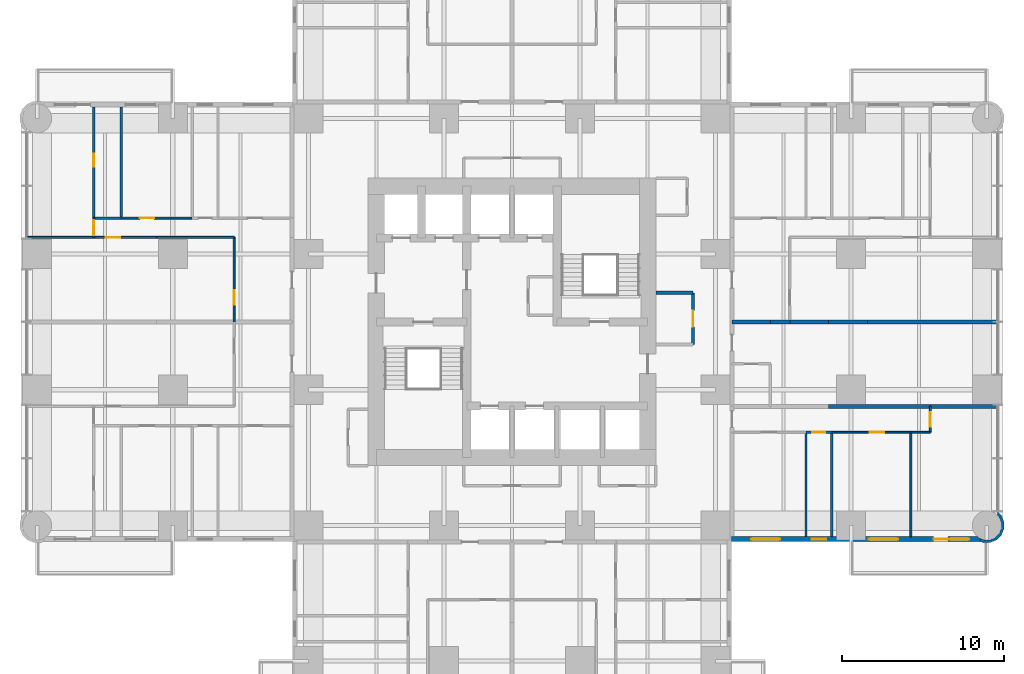
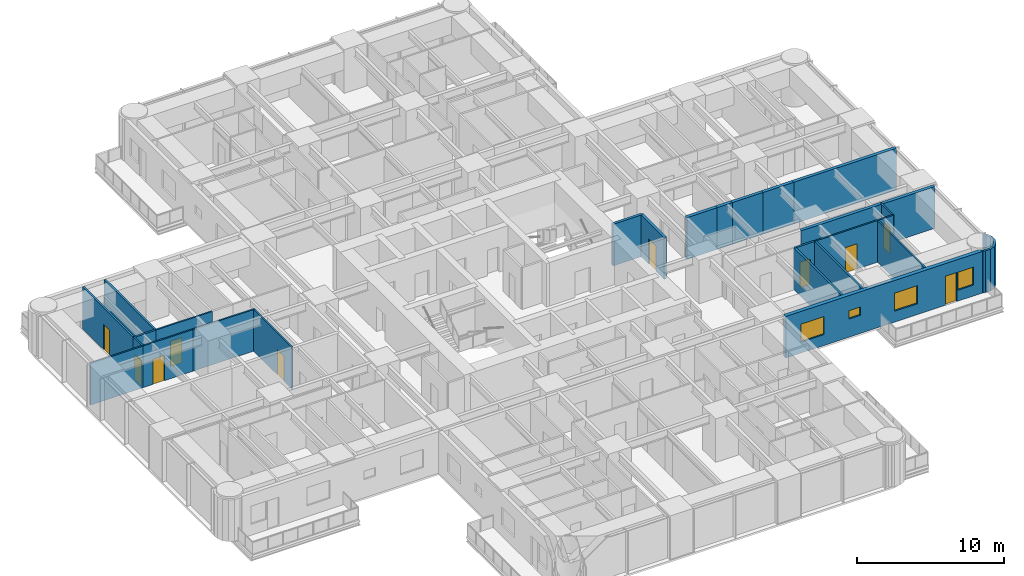
# One storey, part 11 of 17: 27 walls, 10 doors, 4 windows, 14 openings.
"""IFC4 building model written with IfcOpenShell, lengths in metres."""

from ifc_helpers import new_model, si_unit, direction, frame, frame_2d, origin, place, context, subcontext, project, spatial, polyline, rectangle, outline, extrude, material, layer, layer_set, type_object, element, fill, save


model = new_model("IFC4")

# Units and contexts
model_context = context("Model", 3, precision=1e-05, world=origin(), true_north=direction((0.0, 1.0)))
body_context = subcontext(model_context, "Body", "Model", "MODEL_VIEW")
ifc_project = project(units=[si_unit("LENGTHUNIT", "METRE"), si_unit("AREAUNIT", "SQUARE_METRE"), si_unit("VOLUMEUNIT", "CUBIC_METRE"), si_unit("PLANEANGLEUNIT", "RADIAN"), si_unit("MASSUNIT", "GRAM", prefix="KILO")], contexts=[model_context])

# Site, building, storey
site_placement = place(None, origin())
site = spatial("IfcSite", under=ifc_project, at=site_placement, CompositionType="ELEMENT")
building_placement = place(site_placement, origin())
building = spatial("IfcBuilding", under=site, at=building_placement, Name="Torre Alcanfor", CompositionType="ELEMENT")
storey_placement = place(building_placement, frame((0.0, 0.0, 52.5)))
storey = spatial("IfcBuildingStorey", under=building, at=storey_placement, Name="L12", CompositionType="ELEMENT", Elevation=52.5)

# Wall, opening, door
ifc_material_1 = material(Name="Gypsum board on steel studs", Category="steel")
ifc_layer_1 = layer(ifc_material_1, 0.1201171875)
ifc_layer_set_1 = layer_set([ifc_layer_1], Name="Apartment partition 120")
wall_type_1 = type_object("IfcWallType", Name="Apartment partition 120", PredefinedType="PARTITIONING", material=ifc_layer_set_1)
wall_1_placement = place(storey_placement, frame((54.10009765625, 22.571044921875, 0.0), z_axis=(0.0, 0.0, 1.0), x_axis=(-1.0, 0.0, 0.0)))
wall_1 = element("IfcWall", 1, at=wall_1_placement, inside=storey, type_object=wall_type_1, Name="Partition L12-E2B-HALL / L12-E2B-MASTER", PredefinedType="PARTITIONING", context=body_context, shape_type="SweptSolid", body=[
    extrude(rectangle(XDim=4.900146484375, YDim=0.1201171875, at=frame_2d((2.4501953125, 0.0))), origin(), (0.0, 0.0, 1.0), 3.449951171875),
])
opening_1_placement = place(wall_1_placement, frame((1.64990234375, 0.0, 0.0)))
opening_1 = element("IfcOpeningElement", 2, at=opening_1_placement, cuts=wall_1, Name="Opening D-R1", PredefinedType="OPENING", context=body_context, shape_type="SweptSolid", body=[
    extrude(rectangle(XDim=0.89990234375, YDim=2.10009765625, at=frame_2d((0.449951171875, 1.050048828125))), frame((0.0, 0.070068359375, 0.0), z_axis=(0.0, -1.0, 0.0), x_axis=(1.0, 0.0, 0.0)), (0.0, 0.0, 1.0), 0.14013671875),
])
ifc_material_2 = material(Name="Timber", Category="wood")
door_type_1 = type_object("IfcDoorType", Name="Internal door 900x2100", OperationType="SINGLE_SWING_LEFT", PredefinedType="DOOR", material=ifc_material_2)
door_1_placement = place(opening_1_placement, origin())
door_1 = element("IfcDoor", 3, at=door_1_placement, inside=storey, type_object=door_type_1, Name="Door L12-E2B master", OperationType="SINGLE_SWING_LEFT", OverallHeight=2.10009765625, OverallWidth=0.89990234375, PredefinedType="DOOR", context=body_context, shape_type="SweptSolid", body=[
    extrude(rectangle(XDim=0.89990234375, YDim=2.10009765625, at=frame_2d((0.449951171875, 1.050048828125))), frame((0.0, 0.02490234375, 0.0), z_axis=(0.0, -1.0, 0.0), x_axis=(1.0, 0.0, 0.0)), (0.0, 0.0, 1.0), 0.050048828125),
])
fill(opening_1, door_1)

# Wall
wall_2_placement = place(storey_placement, frame((55.300048828125, 22.571044921875, 0.0), z_axis=(0.0, 0.0, 1.0), x_axis=(-1.0, 0.0, 0.0)))
element("IfcWall", 4, at=wall_2_placement, inside=storey, type_object=wall_type_1, Name="Partition L12-E2B-HALL / L12-E2B-KITCHEN", PredefinedType="PARTITIONING", context=body_context, shape_type="SweptSolid", body=[
    extrude(rectangle(XDim=1.199951171875, YDim=0.1201171875, at=frame_2d((0.60009765625, 0.0))), origin(), (0.0, 0.0, 1.0), 3.449951171875),
])

# Wall, opening, door
wall_3_placement = place(storey_placement, frame((55.300048828125, 24.1708984375, 0.0), z_axis=(0.0, 0.0, 1.0), x_axis=(0.0, -1.0, 0.0)))
wall_3 = element("IfcWall", 5, at=wall_3_placement, inside=storey, type_object=wall_type_1, Name="Partition L12-E2B-HALL / L12-E2B-LIVING", PredefinedType="PARTITIONING", context=body_context, shape_type="SweptSolid", body=[
    extrude(rectangle(XDim=1.599853515625, YDim=0.1201171875, at=frame_2d((0.7998046875, 0.0))), origin(), (0.0, 0.0, 1.0), 3.449951171875),
])
opening_2_placement = place(wall_3_placement, frame((0.35009765625, 0.0, 0.0)))
opening_2 = element("IfcOpeningElement", 6, at=opening_2_placement, cuts=wall_3, Name="Opening D-R1", PredefinedType="OPENING", context=body_context, shape_type="SweptSolid", body=[
    extrude(rectangle(XDim=0.89990234375, YDim=2.10009765625, at=frame_2d((0.449951171875, 1.050048828125))), frame((0.0, 0.070068359375, 0.0), z_axis=(0.0, -1.0, 0.0), x_axis=(1.0, 0.0, 0.0)), (0.0, 0.0, 1.0), 0.14013671875),
])
door_2_placement = place(opening_2_placement, origin())
door_2 = element("IfcDoor", 7, at=door_2_placement, inside=storey, type_object=door_type_1, Name="Door L12-E2B living", OperationType="SINGLE_SWING_LEFT", OverallHeight=2.10009765625, OverallWidth=0.89990234375, PredefinedType="DOOR", context=body_context, shape_type="SweptSolid", body=[
    extrude(rectangle(XDim=0.89990234375, YDim=2.10009765625, at=frame_2d((0.449951171875, 1.050048828125))), frame((0.0, 0.02490234375, 0.0), z_axis=(0.0, -1.0, 0.0), x_axis=(1.0, 0.0, 0.0)), (0.0, 0.0, 1.0), 0.050048828125),
])
fill(opening_2, door_2)

# Wall
wall_4_placement = place(storey_placement, frame((54.10009765625, 22.571044921875, 0.0), z_axis=(0.0, 0.0, 1.0), x_axis=(0.0, -1.0, 0.0)))
element("IfcWall", 8, at=wall_4_placement, inside=storey, type_object=wall_type_1, Name="Partition L12-E2B-MASTER / L12-E2B-KITCHEN", PredefinedType="PARTITIONING", context=body_context, shape_type="SweptSolid", body=[
    extrude(rectangle(XDim=6.470947265625, YDim=0.1201171875, at=frame_2d((3.2353515625, 0.0))), origin(), (0.0, 0.0, 1.0), 3.449951171875),
])

# Wall, opening, door
wall_5_placement = place(storey_placement, frame((12.199951171875, 29.39990234375, 0.0), z_axis=(0.0, 0.0, 1.0), x_axis=(0.0, 1.0, 0.0)))
wall_5 = element("IfcWall", 9, at=wall_5_placement, inside=storey, type_object=wall_type_1, Name="Partition L12-W2-ZAG / L12-W2-KITCHEN", PredefinedType="PARTITIONING", context=body_context, shape_type="SweptSolid", body=[
    extrude(rectangle(XDim=5.22900390625, YDim=0.1201171875, at=frame_2d((2.614501953125, 0.0))), origin(), (0.0, 0.0, 1.0), 3.449951171875),
])
opening_3_placement = place(wall_5_placement, frame((1.050048828125, 0.0, 0.0)))
opening_3 = element("IfcOpeningElement", 10, at=opening_3_placement, cuts=wall_5, Name="Opening D-R1", PredefinedType="OPENING", context=body_context, shape_type="SweptSolid", body=[
    extrude(rectangle(XDim=0.89990234375, YDim=2.10009765625, at=frame_2d((0.449951171875, 1.050048828125))), frame((0.0, 0.070068359375, 0.0), z_axis=(0.0, -1.0, 0.0), x_axis=(1.0, 0.0, 0.0)), (0.0, 0.0, 1.0), 0.14013671875),
])
door_3_placement = place(opening_3_placement, origin())
door_3 = element("IfcDoor", 11, at=door_3_placement, inside=storey, type_object=door_type_1, Name="Door L12-W2 kitchen", OperationType="SINGLE_SWING_LEFT", OverallHeight=2.10009765625, OverallWidth=0.89990234375, PredefinedType="DOOR", context=body_context, shape_type="SweptSolid", body=[
    extrude(rectangle(XDim=0.89990234375, YDim=2.10009765625, at=frame_2d((0.449951171875, 1.050048828125))), frame((0.0, 0.02490234375, 0.0), z_axis=(0.0, -1.0, 0.0), x_axis=(1.0, 0.0, 0.0)), (0.0, 0.0, 1.0), 0.050048828125),
])
fill(opening_3, door_3)

# Wall
wall_6_placement = place(storey_placement, frame((7.39990234375, 34.62890625, 0.0), z_axis=(0.0, 0.0, 1.0), x_axis=(1.0, 0.0, 0.0)))
element("IfcWall", 12, at=wall_6_placement, inside=storey, type_object=wall_type_1, Name="Partition L12-W2-KITCHEN / L12-W2-HALL", PredefinedType="PARTITIONING", context=body_context, shape_type="SweptSolid", body=[
    extrude(rectangle(XDim=4.800048828125, YDim=0.1201171875, at=frame_2d((2.39990234375, 0.0))), origin(), (0.0, 0.0, 1.0), 3.449951171875),
])

# Wall, opening, door
wall_7_placement = place(storey_placement, frame((3.5, 34.62890625, 0.0), z_axis=(0.0, 0.0, 1.0), x_axis=(1.0, 0.0, 0.0)))
wall_7 = element("IfcWall", 13, at=wall_7_placement, inside=storey, type_object=wall_type_1, Name="Partition L12-W2-LIVING / L12-W2-HALL", PredefinedType="PARTITIONING", context=body_context, shape_type="SweptSolid", body=[
    extrude(rectangle(XDim=3.89990234375, YDim=0.1201171875, at=frame_2d((1.949951171875, 0.0))), origin(), (0.0, 0.0, 1.0), 3.449951171875),
])
opening_4_placement = place(wall_7_placement, frame((0.75, 0.0, 0.0)))
opening_4 = element("IfcOpeningElement", 14, at=opening_4_placement, cuts=wall_7, Name="Opening D-R1", PredefinedType="OPENING", context=body_context, shape_type="SweptSolid", body=[
    extrude(rectangle(XDim=0.89990234375, YDim=2.10009765625, at=frame_2d((0.449951171875, 1.050048828125))), frame((0.0, 0.070068359375, 0.0), z_axis=(0.0, -1.0, 0.0), x_axis=(1.0, 0.0, 0.0)), (0.0, 0.0, 1.0), 0.14013671875),
])
door_4_placement = place(opening_4_placement, frame((0.89990234375, 0.0, 0.0), z_axis=(0.0, 0.0, 1.0), x_axis=(-1.0, 0.0, 0.0)))
door_4 = element("IfcDoor", 15, at=door_4_placement, inside=storey, type_object=door_type_1, Name="Door L12-W2 living", OperationType="SINGLE_SWING_LEFT", OverallHeight=2.10009765625, OverallWidth=0.89990234375, PredefinedType="DOOR", context=body_context, shape_type="SweptSolid", body=[
    extrude(rectangle(XDim=0.89990234375, YDim=2.10009765625, at=frame_2d((0.449951171875, 1.050048828125))), frame((0.0, 0.025146484375, 0.0), z_axis=(0.0, -1.0, 0.0), x_axis=(1.0, 0.0, 0.0)), (0.0, 0.0, 1.0), 0.050048828125),
])
fill(opening_4, door_4)

# Wall
wall_8_placement = place(storey_placement, frame((-0.64990234375, 34.62890625, 0.0), z_axis=(0.0, 0.0, 1.0), x_axis=(1.0, 0.0, 0.0)))
element("IfcWall", 16, at=wall_8_placement, inside=storey, type_object=wall_type_1, Name="Partition L12-W2-LIVING / L12-W2-MASTER", PredefinedType="PARTITIONING", context=body_context, shape_type="SweptSolid", body=[
    extrude(rectangle(XDim=4.14990234375, YDim=0.1201171875, at=frame_2d((2.074951171875, 0.0))), origin(), (0.0, 0.0, 1.0), 3.449951171875),
])

# Wall, opening, door
wall_9_placement = place(storey_placement, frame((5.199951171875, 35.8291015625, 0.0), z_axis=(0.0, 0.0, 1.0), x_axis=(1.0, 0.0, 0.0)))
wall_9 = element("IfcWall", 17, at=wall_9_placement, inside=storey, type_object=wall_type_1, Name="Partition L12-W2-HALL / L12-W2-BED2", PredefinedType="PARTITIONING", context=body_context, shape_type="SweptSolid", body=[
    extrude(rectangle(XDim=4.400146484375, YDim=0.1201171875, at=frame_2d((2.2001953125, 0.0))), origin(), (0.0, 0.0, 1.0), 3.449951171875),
])
opening_5_placement = place(wall_9_placement, frame((1.14990234375, 0.0, 0.0)))
opening_5 = element("IfcOpeningElement", 18, at=opening_5_placement, cuts=wall_9, Name="Opening D-R1", PredefinedType="OPENING", context=body_context, shape_type="SweptSolid", body=[
    extrude(rectangle(XDim=0.89990234375, YDim=2.10009765625, at=frame_2d((0.449951171875, 1.050048828125))), frame((0.0, 0.070068359375, 0.0), z_axis=(0.0, -1.0, 0.0), x_axis=(1.0, 0.0, 0.0)), (0.0, 0.0, 1.0), 0.14013671875),
])
door_5_placement = place(opening_5_placement, origin())
door_5 = element("IfcDoor", 19, at=door_5_placement, inside=storey, type_object=door_type_1, Name="Door L12-W2 bed2", OperationType="SINGLE_SWING_LEFT", OverallHeight=2.10009765625, OverallWidth=0.89990234375, PredefinedType="DOOR", context=body_context, shape_type="SweptSolid", body=[
    extrude(rectangle(XDim=0.89990234375, YDim=2.10009765625, at=frame_2d((0.449951171875, 1.050048828125))), frame((0.0, 0.02490234375, 0.0), z_axis=(0.0, -1.0, 0.0), x_axis=(1.0, 0.0, 0.0)), (0.0, 0.0, 1.0), 0.050048828125),
])
fill(opening_5, door_5)

wall_10_placement = place(storey_placement, frame((3.5, 34.62890625, 0.0), z_axis=(0.0, 0.0, 1.0), x_axis=(0.0, 1.0, 0.0)))
wall_10 = element("IfcWall", 20, at=wall_10_placement, inside=storey, type_object=wall_type_1, Name="Partition L12-W2-HALL / L12-W2-MASTER", PredefinedType="PARTITIONING", context=body_context, shape_type="SweptSolid", body=[
    extrude(rectangle(XDim=1.2001953125, YDim=0.1201171875, at=frame_2d((0.60009765625, 0.0))), origin(), (0.0, 0.0, 1.0), 3.449951171875),
])
opening_6_placement = place(wall_10_placement, frame((0.15087890625, 0.0, 0.0)))
opening_6 = element("IfcOpeningElement", 21, at=opening_6_placement, cuts=wall_10, Name="Opening D-R1", PredefinedType="OPENING", context=body_context, shape_type="SweptSolid", body=[
    extrude(rectangle(XDim=0.89990234375, YDim=2.10009765625, at=frame_2d((0.449951171875, 1.050048828125))), frame((0.0, 0.070068359375, 0.0), z_axis=(0.0, -1.0, 0.0), x_axis=(1.0, 0.0, 0.0)), (0.0, 0.0, 1.0), 0.14013671875),
])
door_6_placement = place(opening_6_placement, origin())
door_6 = element("IfcDoor", 22, at=door_6_placement, inside=storey, type_object=door_type_1, Name="Door L12-W2 master", OperationType="SINGLE_SWING_LEFT", OverallHeight=2.10009765625, OverallWidth=0.89990234375, PredefinedType="DOOR", context=body_context, shape_type="SweptSolid", body=[
    extrude(rectangle(XDim=0.89990234375, YDim=2.10009765625, at=frame_2d((0.449951171875, 1.050048828125))), frame((0.0, 0.02490234375, 0.0), z_axis=(0.0, -1.0, 0.0), x_axis=(1.0, 0.0, 0.0)), (0.0, 0.0, 1.0), 0.050048828125),
])
fill(opening_6, door_6)

# Wall, openings, door, windows
ifc_material_3 = material(Name="Limestone cladding", Category="masonry")
ifc_layer_2 = layer(ifc_material_3, 0.0400390625, Name="Facing")
ifc_material_4 = material(Name="Ventilated air cavity")
ifc_layer_3 = layer(ifc_material_4, 0.02001953125, ventilated=True, Name="Ventilated joint")
ifc_material_5 = material(Name="Mineral wool insulation", Category="insulation")
ifc_layer_4 = layer(ifc_material_5, 0.10009765625, Name="Insulation")
ifc_material_6 = material(Name="Concrete f'c 35 MPa", Category="concrete")
ifc_layer_5 = layer(ifc_material_6, 0.139892578125, Name="Backing")
ifc_layer_set_2 = layer_set([ifc_layer_2, ifc_layer_3, ifc_layer_4, ifc_layer_5], Name="External wall stone-clad 300")
wall_type_2 = type_object("IfcWallType", Name="External wall stone-clad 300", PredefinedType="SOLIDWALL", material=ifc_layer_set_2)
wall_11_placement = place(storey_placement, frame((43.0, 15.949951171875, 0.0), z_axis=(0.0, 0.0, 1.0), x_axis=(1.0, 0.0, 0.0)))
wall_11 = element("IfcWall", 23, at=wall_11_placement, inside=storey, type_object=wall_type_2, Name="External wall L12 7", PredefinedType="SOLIDWALL", context=body_context, shape_type="SweptSolid", body=[
    extrude(rectangle(XDim=15.39990234375, YDim=0.300048828125, at=frame_2d((7.699951171875, 0.0))), origin(), (0.0, 0.0, 1.0), 3.449951171875),
])
opening_7_placement = place(wall_11_placement, frame((1.199951171875, 0.0, 0.89990234375)))
opening_7 = element("IfcOpeningElement", 24, at=opening_7_placement, cuts=wall_11, Name="Opening W2", PredefinedType="OPENING", context=body_context, shape_type="SweptSolid", body=[
    extrude(rectangle(XDim=1.800048828125, YDim=1.5, at=frame_2d((0.89990234375, 0.75))), frame((0.0, 0.159912109375, 0.0), z_axis=(0.0, -1.0, 0.0), x_axis=(1.0, 0.0, 0.0)), (0.0, 0.0, 1.0), 0.320068359375),
])
opening_8_placement = place(wall_11_placement, frame((4.949951171875, 0.0, 1.5)))
opening_8 = element("IfcOpeningElement", 25, at=opening_8_placement, cuts=wall_11, Name="Opening W3", PredefinedType="OPENING", context=body_context, shape_type="SweptSolid", body=[
    extrude(rectangle(XDim=0.89990234375, YDim=0.699951171875, at=frame_2d((0.449951171875, 0.35009765625))), frame((0.0, 0.159912109375, 0.0), z_axis=(0.0, -1.0, 0.0), x_axis=(1.0, 0.0, 0.0)), (0.0, 0.0, 1.0), 0.320068359375),
])
opening_9_placement = place(wall_11_placement, frame((8.5, 0.0, 0.89990234375)))
opening_9 = element("IfcOpeningElement", 26, at=opening_9_placement, cuts=wall_11, Name="Opening W2", PredefinedType="OPENING", context=body_context, shape_type="SweptSolid", body=[
    extrude(rectangle(XDim=1.800048828125, YDim=1.5, at=frame_2d((0.89990234375, 0.75))), frame((0.0, 0.159912109375, 0.0), z_axis=(0.0, -1.0, 0.0), x_axis=(1.0, 0.0, 0.0)), (0.0, 0.0, 1.0), 0.320068359375),
])
opening_10_placement = place(wall_11_placement, frame((12.5, 0.0, 0.0)))
opening_10 = element("IfcOpeningElement", 27, at=opening_10_placement, cuts=wall_11, Name="Opening D-B1", PredefinedType="OPENING", context=body_context, shape_type="SweptSolid", body=[
    extrude(rectangle(XDim=0.89990234375, YDim=2.39990234375, at=frame_2d((0.449951171875, 1.199951171875))), frame((0.0, 0.159912109375, 0.0), z_axis=(0.0, -1.0, 0.0), x_axis=(1.0, 0.0, 0.0)), (0.0, 0.0, 1.0), 0.320068359375),
])
opening_11_placement = place(wall_11_placement, frame((13.5, 0.0, 0.89990234375)))
opening_11 = element("IfcOpeningElement", 28, at=opening_11_placement, cuts=wall_11, Name="Opening W4", PredefinedType="OPENING", context=body_context, shape_type="SweptSolid", body=[
    extrude(rectangle(XDim=1.199951171875, YDim=1.5, at=frame_2d((0.60009765625, 0.75))), frame((0.0, 0.159912109375, 0.0), z_axis=(0.0, -1.0, 0.0), x_axis=(1.0, 0.0, 0.0)), (0.0, 0.0, 1.0), 0.320068359375),
])
ifc_material_7 = material(Name="Aluminium and glass", Category="aluminium")
door_type_2 = type_object("IfcDoorType", Name="Balcony door glazed 900x2400", OperationType="SINGLE_SWING_LEFT", PredefinedType="DOOR", material=ifc_material_7)
door_7_placement = place(opening_10_placement, origin())
door_7 = element("IfcDoor", 29, at=door_7_placement, inside=storey, type_object=door_type_2, Name="Balcony door L12-E2", OperationType="SINGLE_SWING_LEFT", OverallHeight=2.39990234375, OverallWidth=0.89990234375, PredefinedType="DOOR", context=body_context, shape_type="SweptSolid", body=[
    extrude(rectangle(XDim=0.89990234375, YDim=2.39990234375, at=frame_2d((0.449951171875, 1.199951171875))), frame((0.0, 0.02490234375, 0.0), z_axis=(0.0, -1.0, 0.0), x_axis=(1.0, 0.0, 0.0)), (0.0, 0.0, 1.0), 0.050048828125),
])
fill(opening_10, door_7)
ifc_material_8 = material(Name="Aluminium frame with clear double glazing", Category="aluminium")
window_type_1 = type_object("IfcWindowType", Name="Window bathroom 900x700", PartitioningType="SINGLE_PANEL", PredefinedType="WINDOW", material=ifc_material_8)
window_1_placement = place(opening_8_placement, origin())
window_1 = element("IfcWindow", 30, at=window_1_placement, inside=storey, type_object=window_type_1, Name="Window W3 L12-E2", OverallHeight=0.699951171875, OverallWidth=0.89990234375, PartitioningType="SINGLE_PANEL", PredefinedType="WINDOW", context=body_context, shape_type="SweptSolid", body=[
    extrude(rectangle(XDim=0.89990234375, YDim=0.699951171875, at=frame_2d((0.449951171875, 0.35009765625))), frame((0.0, 0.030029296875, 0.0), z_axis=(0.0, -1.0, 0.0), x_axis=(1.0, 0.0, 0.0)), (0.0, 0.0, 1.0), 0.06005859375),
])
fill(opening_8, window_1)
ifc_material_9 = material(Name="Aluminium frame with clear double glazing", Category="aluminium")
window_type_2 = type_object("IfcWindowType", Name="Window bedroom 1200x1500", PartitioningType="SINGLE_PANEL", PredefinedType="WINDOW", material=ifc_material_9)
window_2_placement = place(opening_11_placement, origin())
window_2 = element("IfcWindow", 31, at=window_2_placement, inside=storey, type_object=window_type_2, Name="Window W4 L12-E2", OverallHeight=1.5, OverallWidth=1.199951171875, PartitioningType="SINGLE_PANEL", PredefinedType="WINDOW", context=body_context, shape_type="SweptSolid", body=[
    extrude(rectangle(XDim=1.199951171875, YDim=1.5, at=frame_2d((0.60009765625, 0.75))), frame((0.0, 0.030029296875, 0.0), z_axis=(0.0, -1.0, 0.0), x_axis=(1.0, 0.0, 0.0)), (0.0, 0.0, 1.0), 0.06005859375),
])
fill(opening_11, window_2)
ifc_material_10 = material(Name="Aluminium frame with clear double glazing", Category="aluminium")
window_type_3 = type_object("IfcWindowType", Name="Window bedroom 1800x1500", PartitioningType="SINGLE_PANEL", PredefinedType="WINDOW", material=ifc_material_10)
window_3_placement = place(opening_7_placement, origin())
window_3 = element("IfcWindow", 32, at=window_3_placement, inside=storey, type_object=window_type_3, Name="Window W2 L12-E2", OverallHeight=1.5, OverallWidth=1.800048828125, PartitioningType="SINGLE_PANEL", PredefinedType="WINDOW", context=body_context, shape_type="SweptSolid", body=[
    extrude(rectangle(XDim=1.800048828125, YDim=1.5, at=frame_2d((0.89990234375, 0.75))), frame((0.0, 0.030029296875, 0.0), z_axis=(0.0, -1.0, 0.0), x_axis=(1.0, 0.0, 0.0)), (0.0, 0.0, 1.0), 0.06005859375),
])
fill(opening_7, window_3)
window_4_placement = place(opening_9_placement, origin())
window_4 = element("IfcWindow", 33, at=window_4_placement, inside=storey, type_object=window_type_3, Name="Window W2 L12-E2", OverallHeight=1.5, OverallWidth=1.800048828125, PartitioningType="SINGLE_PANEL", PredefinedType="WINDOW", context=body_context, shape_type="SweptSolid", body=[
    extrude(rectangle(XDim=1.800048828125, YDim=1.5, at=frame_2d((0.89990234375, 0.75))), frame((0.0, 0.030029296875, 0.0), z_axis=(0.0, -1.0, 0.0), x_axis=(1.0, 0.0, 0.0)), (0.0, 0.0, 1.0), 0.06005859375),
])
fill(opening_9, window_4)

# Walls
ifc_material_11 = material(Name="Concrete block masonry, hollow blocks NMX-C-404 9 MPa", Category="masonry")
ifc_layer_6 = layer(ifc_material_11, 0.25)
ifc_layer_set_3 = layer_set([ifc_layer_6], Name="Party wall 250 EI 60")
wall_type_3 = type_object("IfcWallType", Name="Party wall 250 EI 60", PredefinedType="PARTITIONING", material=ifc_layer_set_3)
wall_12_placement = place(storey_placement, frame((43.02490234375, 29.39990234375, 0.0), z_axis=(0.0, 0.0, 1.0), x_axis=(1.0, 0.0, 0.0)))
element("IfcWall", 34, at=wall_12_placement, inside=storey, type_object=wall_type_3, Name="Partition L12-E1-ZAG / L12-E2A-FOYER", PredefinedType="PARTITIONING", context=body_context, shape_type="SweptSolid", body=[
    extrude(rectangle(XDim=2.375, YDim=0.25, at=frame_2d((1.1875, 0.0))), origin(), (0.0, 0.0, 1.0), 3.449951171875),
])
wall_13_placement = place(storey_placement, frame((45.39990234375, 29.39990234375, 0.0), z_axis=(0.0, 0.0, 1.0), x_axis=(1.0, 0.0, 0.0)))
element("IfcWall", 35, at=wall_13_placement, inside=storey, type_object=wall_type_3, Name="Partition L12-E1-ZAG / L12-E2A-KITCHEN", PredefinedType="PARTITIONING", context=body_context, shape_type="SweptSolid", body=[
    extrude(rectangle(XDim=1.2001953125, YDim=0.25, at=frame_2d((0.60009765625, 0.0))), origin(), (0.0, 0.0, 1.0), 3.449951171875),
])
for number, where, z_axis, x_axis, name in (
    (36, (46.60009765625, 29.39990234375, 0.0), (0.0, 0.0, 1.0), (1.0, 0.0, 0.0), "Partition L12-E1-KITCHEN / L12-E2A-KITCHEN"),
    (37, (49.0, 29.39990234375, 0.0), (0.0, 0.0, 1.0), (1.0, 0.0, 0.0), "Partition L12-E1-KITCHEN / L12-E2A-STUDIO"),
):
    element("IfcWall", number, at=place(storey_placement, frame(where, z_axis=z_axis, x_axis=x_axis)), inside=storey, type_object=wall_type_3, Name=name, PredefinedType="PARTITIONING", context=body_context, shape_type="SweptSolid", body=[
        extrude(rectangle(XDim=2.39990234375, YDim=0.25, at=frame_2d((1.199951171875, 0.0))), origin(), (0.0, 0.0, 1.0), 3.449951171875),
    ])
wall_14_placement = place(storey_placement, frame((51.39990234375, 29.39990234375, 0.0), z_axis=(0.0, 0.0, 1.0), x_axis=(1.0, 0.0, 0.0)))
element("IfcWall", 38, at=wall_14_placement, inside=storey, type_object=wall_type_3, Name="Partition L12-E1-LIVING / L12-E2A-STUDIO", PredefinedType="PARTITIONING", context=body_context, shape_type="SweptSolid", body=[
    extrude(rectangle(XDim=8.050048828125, YDim=0.25, at=frame_2d((4.02490234375, 0.0))), origin(), (0.0, 0.0, 1.0), 3.449951171875),
])
wall_15_placement = place(storey_placement, frame((55.300048828125, 24.1708984375, 0.0), z_axis=(0.0, 0.0, 1.0), x_axis=(-1.0, 0.0, 0.0)))
element("IfcWall", 39, at=wall_15_placement, inside=storey, type_object=wall_type_3, Name="Partition L12-E2A-STUDIO / L12-E2B-HALL", PredefinedType="PARTITIONING", context=body_context, shape_type="SweptSolid", body=[
    extrude(rectangle(XDim=6.300048828125, YDim=0.25, at=frame_2d((3.14990234375, 0.0))), origin(), (0.0, 0.0, 1.0), 3.449951171875),
])
wall_16_placement = place(storey_placement, frame((59.449951171875, 24.1708984375, 0.0), z_axis=(0.0, 0.0, 1.0), x_axis=(-1.0, 0.0, 0.0)))
element("IfcWall", 40, at=wall_16_placement, inside=storey, type_object=wall_type_3, Name="Partition L12-E2A-STUDIO / L12-E2B-LIVING", PredefinedType="PARTITIONING", context=body_context, shape_type="SweptSolid", body=[
    extrude(rectangle(XDim=4.14990234375, YDim=0.25, at=frame_2d((2.074951171875, 0.0))), origin(), (0.0, 0.0, 1.0), 3.449951171875),
])

# Wall, opening, door
ifc_material_12 = material(Name="Concrete block masonry, hollow blocks NMX-C-404 9 MPa", Category="masonry")
ifc_layer_7 = layer(ifc_material_12, 0.199951171875)
ifc_layer_set_4 = layer_set([ifc_layer_7], Name="Plant room wall 200 EI 60")
wall_type_4 = type_object("IfcWallType", Name="Plant room wall 200 EI 60", PredefinedType="PARTITIONING", material=ifc_layer_set_4)
wall_17_placement = place(storey_placement, frame((40.60009765625, 28.0, 0.0), z_axis=(0.0, 0.0, 1.0), x_axis=(0.0, 1.0, 0.0)))
wall_17 = element("IfcWall", 41, at=wall_17_placement, inside=storey, type_object=wall_type_4, Name="Partition L12-CORR / L12-G02", PredefinedType="PARTITIONING", context=body_context, shape_type="SweptSolid", body=[
    extrude(rectangle(XDim=3.199951171875, YDim=0.199951171875, at=frame_2d((1.60009765625, 0.0))), origin(), (0.0, 0.0, 1.0), 3.449951171875),
])
opening_12_placement = place(wall_17_placement, frame((1.10009765625, 0.0, 0.0)))
opening_12 = element("IfcOpeningElement", 42, at=opening_12_placement, cuts=wall_17, Name="Opening D-K1", PredefinedType="OPENING", context=body_context, shape_type="SweptSolid", body=[
    extrude(rectangle(XDim=1.0, YDim=2.10009765625, at=frame_2d((0.5, 1.050048828125))), frame((0.0, 0.10986328125, 0.0), z_axis=(0.0, -1.0, 0.0), x_axis=(1.0, 0.0, 0.0)), (0.0, 0.0, 1.0), 0.219970703125),
])
ifc_material_13 = material(Name="Galvanised steel sheet ASTM A653", Category="steel")
door_type_3 = type_object("IfcDoorType", Name="Core room door FD60 1000x2100", OperationType="SINGLE_SWING_LEFT", PredefinedType="DOOR", material=ifc_material_13)
door_8_placement = place(opening_12_placement, origin())
door_8 = element("IfcDoor", 43, at=door_8_placement, inside=storey, type_object=door_type_3, Name="Door L12-G02 refuse and recycling store", OperationType="SINGLE_SWING_LEFT", OverallHeight=2.10009765625, OverallWidth=1.0, PredefinedType="DOOR", context=body_context, shape_type="SweptSolid", body=[
    extrude(rectangle(XDim=1.0, YDim=2.10009765625, at=frame_2d((0.5, 1.050048828125))), frame((0.0, 0.02490234375, 0.0), z_axis=(0.0, -1.0, 0.0), x_axis=(1.0, 0.0, 0.0)), (0.0, 0.0, 1.0), 0.050048828125),
])
fill(opening_12, door_8)

# Walls
wall_18_placement = place(storey_placement, frame((40.60009765625, 31.199951171875, 0.0), z_axis=(0.0, 0.0, 1.0), x_axis=(-1.0, 0.0, 0.0)))
element("IfcWall", 44, at=wall_18_placement, inside=storey, type_object=wall_type_4, Name="Partition L12-CORR / L12-G02", PredefinedType="PARTITIONING", context=body_context, shape_type="SweptSolid", body=[
    extrude(rectangle(XDim=2.300048828125, YDim=0.199951171875, at=frame_2d((1.14990234375, 0.0))), origin(), (0.0, 0.0, 1.0), 3.449951171875),
])
ifc_layer_8 = layer(ifc_material_3, 0.0400390625, Name="Facing")
ifc_layer_9 = layer(ifc_material_4, 0.02001953125, ventilated=True, Name="Ventilated joint")
ifc_layer_10 = layer(ifc_material_5, 0.10009765625, Name="Insulation")
ifc_layer_11 = layer(ifc_material_6, 0.139892578125, Name="Backing")
ifc_layer_set_5 = layer_set([ifc_layer_8, ifc_layer_9, ifc_layer_10, ifc_layer_11], Name="Rounded corner pier stone-clad 300")
wall_type_5 = type_object("IfcWallType", Name="Rounded corner pier stone-clad 300", PredefinedType="SOLIDWALL", material=ifc_layer_set_5)
wall_19_placement = place(storey_placement, frame((58.436037137, 15.890092843, 0.0), z_axis=(0.0, 0.0, 1.0), x_axis=(0.926129809145, -0.377204953059, 0.0)))
element("IfcWall", 45, at=wall_19_placement, inside=storey, type_object=wall_type_5, Name="Corner pier L12 17", PredefinedType="SOLIDWALL", context=body_context, shape_type="SweptSolid", body=[
    extrude(outline(polyline([(0.769166837716128, 1.7276108100514604), (0.7500653632983351, 1.7227306908268178), (0.5995000244675756, 1.8749338844742405), (0.2945752424497483, 2.003546223814982), (0.2810088878235957, 1.9980207606354041), (0.36029928445054193, 1.803343571750114), (0.5086711604613772, 1.740666542271283), (0.7606181499848057, 1.4858220995022824), (0.8958078157784841, 1.153898622982415), (0.8937038530249802, 0.7953177307388815), (0.7545964309992416, 0.4650292826997394), (0.49975198823024103, 0.21308229317631072), (0.16782851171037358, 0.07789262738263233), (-0.0998950178182167, 0.07956887308382314), (0.0004995392280573718, -0.09702266930253471), (0.03004451591433495, -0.08024419760165923), (0.19838601885213236, -0.08127415720020953), (0.5888709261748919, 0.07776709131864781), (0.888863773202199, 0.37420041869354087), (1.0524038230869968, 0.7629450169505976), (1.0552007062717619, 1.1845482211771667), (0.8961594577529046, 1.5750331284999262), (0.777713405588319, 1.694976661367872), (0.769166837716128, 1.7276108100514604)])), origin(), (0.0, 0.0, 1.0), 3.449951171875),
])

# Wall, opening, door
ifc_material_14 = material(Name="Cement board on steel studs", Category="steel")
ifc_layer_12 = layer(ifc_material_14, 0.14990234375)
ifc_layer_set_6 = layer_set([ifc_layer_12], Name="Wet area partition 150")
wall_type_6 = type_object("IfcWallType", Name="Wet area partition 150", PredefinedType="PARTITIONING", material=ifc_layer_set_6)
wall_20_placement = place(storey_placement, frame((49.199951171875, 22.571044921875, 0.0), z_axis=(0.0, 0.0, 1.0), x_axis=(-1.0, 0.0, 0.0)))
wall_20 = element("IfcWall", 46, at=wall_20_placement, inside=storey, type_object=wall_type_6, Name="Partition L12-E2B-HALL / L12-E2B-BATH", PredefinedType="PARTITIONING", context=body_context, shape_type="SweptSolid", body=[
    extrude(rectangle(XDim=1.599853515625, YDim=0.14990234375, at=frame_2d((0.7998046875, 0.0))), origin(), (0.0, 0.0, 1.0), 3.449951171875),
])
opening_13_placement = place(wall_20_placement, frame((0.39990234375, 0.0, 0.0)))
opening_13 = element("IfcOpeningElement", 47, at=opening_13_placement, cuts=wall_20, Name="Opening D-R2", PredefinedType="OPENING", context=body_context, shape_type="SweptSolid", body=[
    extrude(rectangle(XDim=0.800048828125, YDim=2.10009765625, at=frame_2d((0.39990234375, 1.050048828125))), frame((0.0, 0.0849609375, 0.0), z_axis=(0.0, -1.0, 0.0), x_axis=(1.0, 0.0, 0.0)), (0.0, 0.0, 1.0), 0.169921875),
])
ifc_material_15 = material(Name="Timber", Category="wood")
door_type_4 = type_object("IfcDoorType", Name="Bathroom door 800x2100", OperationType="SINGLE_SWING_LEFT", PredefinedType="DOOR", material=ifc_material_15)
door_9_placement = place(opening_13_placement, origin())
door_9 = element("IfcDoor", 48, at=door_9_placement, inside=storey, type_object=door_type_4, Name="Door L12-E2B bath", OperationType="SINGLE_SWING_LEFT", OverallHeight=2.10009765625, OverallWidth=0.800048828125, PredefinedType="DOOR", context=body_context, shape_type="SweptSolid", body=[
    extrude(rectangle(XDim=0.800048828125, YDim=2.10009765625, at=frame_2d((0.39990234375, 1.050048828125))), frame((0.0, 0.02490234375, 0.0), z_axis=(0.0, -1.0, 0.0), x_axis=(1.0, 0.0, 0.0)), (0.0, 0.0, 1.0), 0.050048828125),
])
fill(opening_13, door_9)

# Walls
for number, where, z_axis, x_axis, name in (
    (49, (47.60009765625, 22.571044921875, 0.0), (0.0, 0.0, 1.0), (0.0, -1.0, 0.0), "Partition L12-E2B-BED2 / L12-E2B-BATH"),
    (50, (49.199951171875, 22.571044921875, 0.0), (0.0, 0.0, 1.0), (0.0, -1.0, 0.0), "Partition L12-E2B-BATH / L12-E2B-MASTER"),
):
    element("IfcWall", number, at=place(storey_placement, frame(where, z_axis=z_axis, x_axis=x_axis)), inside=storey, type_object=wall_type_6, Name=name, PredefinedType="PARTITIONING", context=body_context, shape_type="SweptSolid", body=[
        extrude(rectangle(XDim=6.470947265625, YDim=0.14990234375, at=frame_2d((3.2353515625, 0.0))), origin(), (0.0, 0.0, 1.0), 3.449951171875),
    ])
wall_21_placement = place(storey_placement, frame((3.5, 35.8291015625, 0.0), z_axis=(0.0, 0.0, 1.0), x_axis=(1.0, 0.0, 0.0)))
element("IfcWall", 51, at=wall_21_placement, inside=storey, type_object=wall_type_6, Name="Partition L12-W2-HALL / L12-W2-ENSBATH", PredefinedType="PARTITIONING", context=body_context, shape_type="SweptSolid", body=[
    extrude(rectangle(XDim=1.699951171875, YDim=0.14990234375, at=frame_2d((0.85009765625, 0.0))), origin(), (0.0, 0.0, 1.0), 3.449951171875),
])
wall_22_placement = place(storey_placement, frame((5.199951171875, 35.8291015625, 0.0), z_axis=(0.0, 0.0, 1.0), x_axis=(0.0, 1.0, 0.0)))
element("IfcWall", 52, at=wall_22_placement, inside=storey, type_object=wall_type_6, Name="Partition L12-W2-BED2 / L12-W2-ENSBATH", PredefinedType="PARTITIONING", context=body_context, shape_type="SweptSolid", body=[
    extrude(rectangle(XDim=6.870849609375, YDim=0.14990234375, at=frame_2d((3.435546875, 0.0))), origin(), (0.0, 0.0, 1.0), 3.449951171875),
])

# Wall, opening, door
wall_23_placement = place(storey_placement, frame((3.5, 35.8291015625, 0.0), z_axis=(0.0, 0.0, 1.0), x_axis=(0.0, 1.0, 0.0)))
wall_23 = element("IfcWall", 53, at=wall_23_placement, inside=storey, type_object=wall_type_6, Name="Partition L12-W2-ENSBATH / L12-W2-MASTER", PredefinedType="PARTITIONING", context=body_context, shape_type="SweptSolid", body=[
    extrude(rectangle(XDim=6.870849609375, YDim=0.14990234375, at=frame_2d((3.435546875, 0.0))), origin(), (0.0, 0.0, 1.0), 3.449951171875),
])
opening_14_placement = place(wall_23_placement, frame((3.1708984375, 0.0, 0.0)))
opening_14 = element("IfcOpeningElement", 54, at=opening_14_placement, cuts=wall_23, Name="Opening D-R2", PredefinedType="OPENING", context=body_context, shape_type="SweptSolid", body=[
    extrude(rectangle(XDim=0.800048828125, YDim=2.10009765625, at=frame_2d((0.39990234375, 1.050048828125))), frame((0.0, 0.0849609375, 0.0), z_axis=(0.0, -1.0, 0.0), x_axis=(1.0, 0.0, 0.0)), (0.0, 0.0, 1.0), 0.169921875),
])
door_10_placement = place(opening_14_placement, frame((0.800048828125, 0.0, 0.0), z_axis=(0.0, 0.0, 1.0), x_axis=(-1.0, 0.0, 0.0)))
door_10 = element("IfcDoor", 55, at=door_10_placement, inside=storey, type_object=door_type_4, Name="Door L12-W2 ensbath", OperationType="SINGLE_SWING_LEFT", OverallHeight=2.10009765625, OverallWidth=0.800048828125, PredefinedType="DOOR", context=body_context, shape_type="SweptSolid", body=[
    extrude(rectangle(XDim=0.800048828125, YDim=2.10009765625, at=frame_2d((0.400146484375, 1.050048828125))), frame((0.0, 0.025146484375, 0.0), z_axis=(0.0, -1.0, 0.0), x_axis=(1.0, 0.0, 0.0)), (0.0, 0.0, 1.0), 0.050048828125),
])
fill(opening_14, door_10)

save(model, "model.ifc")
